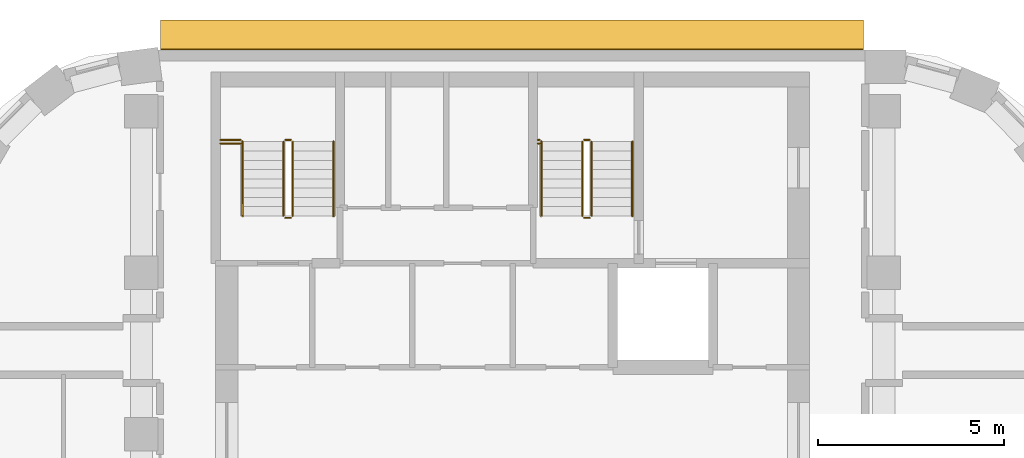
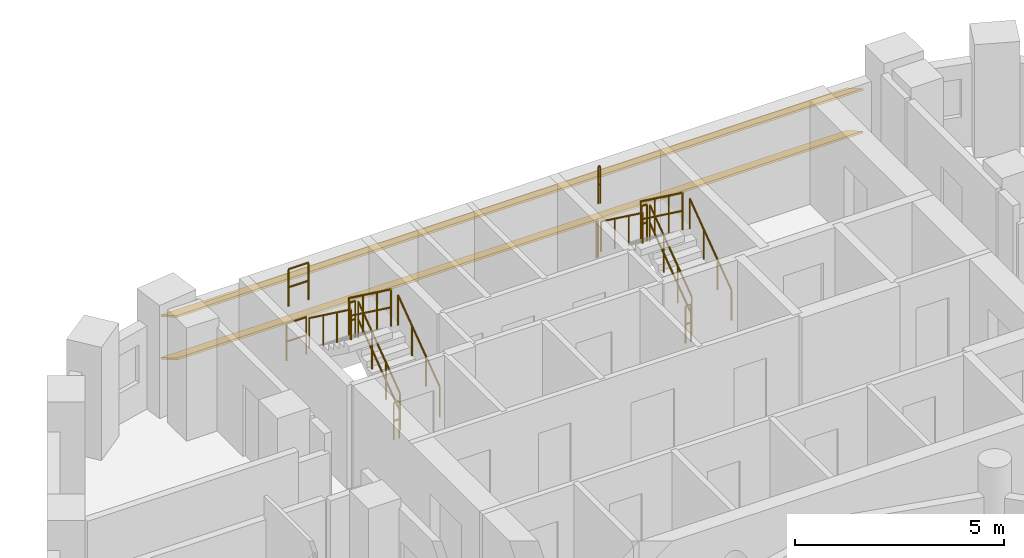
# One storey, part 13 of 13: 16 railings, 2 shading devices.
"""IFC4 building model written with IfcOpenShell, lengths in metres."""

from ifc_helpers import new_model, si_unit, direction, frame, origin, origin_2d, place, context, subcontext, project, spatial, rectangle, circle, extrude, material, material_profile, profile_set, type_object, element, save


model = new_model("IFC4")

# Units and contexts
model_context = context("Model", 3, precision=1e-05, world=origin(), true_north=direction((0.0, 1.0)))
body_context = subcontext(model_context, "Body", "Model", "MODEL_VIEW")
ifc_project = project(units=[si_unit("LENGTHUNIT", "METRE"), si_unit("AREAUNIT", "SQUARE_METRE"), si_unit("VOLUMEUNIT", "CUBIC_METRE"), si_unit("PLANEANGLEUNIT", "RADIAN"), si_unit("MASSUNIT", "GRAM", prefix="KILO")], contexts=[model_context])

# Site, building, storey
site_placement = place(None, origin())
site = spatial("IfcSite", under=ifc_project, at=site_placement, CompositionType="ELEMENT")
building_placement = place(site_placement, origin())
building = spatial("IfcBuilding", under=site, at=building_placement, Name="Nakaniwa Court", CompositionType="ELEMENT")
storey_placement = place(building_placement, frame((0.0, 0.0, 242.699951171875)))
storey = spatial("IfcBuildingStorey", under=building, at=storey_placement, Name="L63", CompositionType="ELEMENT", Elevation=242.699951171875)

# Shading devices
ifc_material_1 = material(Name="Perforated charcoal ceramic louvre blade")
ifc_material_profile = material_profile(ifc_material_1, rectangle(XDim=0.89990234375, YDim=0.050048828125, at=origin_2d()), Name="Perforated ceramic louvre blade")
ifc_profile_set = profile_set([ifc_material_profile], Name="Perforated charcoal ceramic louvre blade")
shading_device_type = type_object("IfcShadingDeviceType", Name="Perforated ceramic louvre blade", PredefinedType="JALOUSIE", material=ifc_profile_set)
for number, where, z_axis, x_axis, name in (
    (1, (89.44921875, 103.05224609375, 0.550048828125), (-1.0, 0.0, 0.0), (0.0, -0.866025403784, 0.5), "L63 perforated ceramic louvre blade w08 1"),
    (2, (89.44921875, 103.05224609375, 1.79345703125), (-1.0, 0.0, 0.0), (0.0, -0.866025403784, 0.5), "L63 perforated ceramic louvre blade w08 2"),
):
    element("IfcShadingDevice", number, at=place(storey_placement, frame(where, z_axis=z_axis, x_axis=x_axis)), inside=storey, type_object=shading_device_type, Name=name, PredefinedType="JALOUSIE", context=body_context, shape_type="SweptSolid", body=[
        extrude(rectangle(XDim=0.89990234375, YDim=0.050048828125, at=origin_2d()), origin(), (0.0, 0.0, 1.0), 18.933349609375),
    ])

# Railings
ifc_material_2 = material(Name="Black powder coated steel guard", Category="steel")
railing_type_1 = type_object("IfcRailingType", Name="Stair guard 1100", PredefinedType="GUARDRAIL", material=ifc_material_2)
railing_1_placement = place(storey_placement, frame((74.074951171875, 98.175048828125, 0.183349609375)))
element("IfcRailing", 3, at=railing_1_placement, inside=storey, type_object=railing_type_1, Name="L63 ST1 stair guard 1", PredefinedType="GUARDRAIL", context=body_context, shape_type="SweptSolid", body=[
    extrude(circle(Radius=0.02392578125, at=origin_2d()), frame((0.0, 0.0, 1.076171875), z_axis=(0.0, 0.806379959628, 0.591397802423), x_axis=(-1.0, 0.0, 0.0)), (0.0, 0.0, 1.0), 2.480224609375),
    extrude(circle(Radius=0.02392578125, at=origin_2d()), frame((0.0, 0.0, 0.550048828125), z_axis=(0.0, 0.806379959628, 0.591397802423), x_axis=(-1.0, 0.0, 0.0)), (0.0, 0.0, 1.0), 2.480224609375),
    extrude(circle(Radius=0.02099609375, at=origin_2d()), origin(), (0.0, 0.0, 1.0), 1.052001953125),
    extrude(circle(Radius=0.02099609375, at=origin_2d()), frame((0.0, 0.666748046875, 0.489013671875)), (0.0, 0.0, 1.0), 1.052001953125),
    extrude(circle(Radius=0.02099609375, at=origin_2d()), frame((0.0, 1.333251953125, 0.977783203125)), (0.0, 0.0, 1.0), 1.052001953125),
    extrude(circle(Radius=0.02099609375, at=origin_2d()), frame((0.0, 2.0, 1.466796875)), (0.0, 0.0, 1.0), 1.052001953125),
])
railing_2_placement = place(storey_placement, frame((74.02490234375, 100.22509765625, 1.650146484375)))
element("IfcRailing", 4, at=railing_2_placement, inside=storey, type_object=railing_type_1, Name="L63 ST1 stair guard 2", PredefinedType="GUARDRAIL", context=body_context, shape_type="SweptSolid", body=[
    extrude(circle(Radius=0.02392578125, at=origin_2d()), frame((0.0, 0.0, 1.076171875), z_axis=(-1.0, 0.0, 0.0), x_axis=(0.0, -1.0, 0.0)), (0.0, 0.0, 1.0), 0.14990234375),
    extrude(circle(Radius=0.02392578125, at=origin_2d()), frame((0.0, 0.0, 0.550048828125), z_axis=(-1.0, 0.0, 0.0), x_axis=(0.0, -1.0, 0.0)), (0.0, 0.0, 1.0), 0.14990234375),
    extrude(circle(Radius=0.02099609375, at=origin_2d()), origin(), (0.0, 0.0, 1.0), 1.052001953125),
    extrude(circle(Radius=0.02099609375, at=origin_2d()), frame((-0.14990234375, 0.0, 0.0)), (0.0, 0.0, 1.0), 1.052001953125),
])
railing_3_placement = place(storey_placement, frame((73.824951171875, 100.175048828125, 1.83349609375)))
element("IfcRailing", 5, at=railing_3_placement, inside=storey, type_object=railing_type_1, Name="L63 ST1 stair guard 3", PredefinedType="GUARDRAIL", context=body_context, shape_type="SweptSolid", body=[
    extrude(circle(Radius=0.02392578125, at=origin_2d()), frame((0.0, 0.0, 1.076171875), z_axis=(0.0, -0.806426902644, 0.591333789573), x_axis=(1.0, 0.0, 0.0)), (0.0, 0.0, 1.0), 2.47998046875),
    extrude(circle(Radius=0.02392578125, at=origin_2d()), frame((0.0, 0.0, 0.550048828125), z_axis=(0.0, -0.806426902644, 0.591333789573), x_axis=(1.0, 0.0, 0.0)), (0.0, 0.0, 1.0), 2.47998046875),
    extrude(circle(Radius=0.02099609375, at=origin_2d()), origin(), (0.0, 0.0, 1.0), 1.052001953125),
    extrude(circle(Radius=0.02099609375, at=origin_2d()), frame((0.0, -0.666748046875, 0.48876953125)), (0.0, 0.0, 1.0), 1.052001953125),
    extrude(circle(Radius=0.02099609375, at=origin_2d()), frame((0.0, -1.333251953125, 0.977783203125)), (0.0, 0.0, 1.0), 1.052001953125),
    extrude(circle(Radius=0.02099609375, at=origin_2d()), frame((0.0, -2.0, 1.466552734375)), (0.0, 0.0, 1.0), 1.052001953125),
])
railing_4_placement = place(storey_placement, frame((74.02490234375, 98.125, 0.0)))
element("IfcRailing", 6, at=railing_4_placement, inside=storey, type_object=railing_type_1, Name="L63 ST1 stair guard 4", PredefinedType="GUARDRAIL", context=body_context, shape_type="SweptSolid", body=[
    extrude(circle(Radius=0.02392578125, at=origin_2d()), frame((0.0, 0.0, 1.076171875), z_axis=(-1.0, 0.0, 0.0), x_axis=(0.0, -1.0, 0.0)), (0.0, 0.0, 1.0), 0.14990234375),
    extrude(circle(Radius=0.02392578125, at=origin_2d()), frame((0.0, 0.0, 0.550048828125), z_axis=(-1.0, 0.0, 0.0), x_axis=(0.0, -1.0, 0.0)), (0.0, 0.0, 1.0), 0.14990234375),
    extrude(circle(Radius=0.02099609375, at=origin_2d()), origin(), (0.0, 0.0, 1.0), 1.052001953125),
    extrude(circle(Radius=0.02099609375, at=origin_2d()), frame((-0.14990234375, 0.0, 0.0)), (0.0, 0.0, 1.0), 1.052001953125),
])
for number, where, name in (
    (7, (72.125, 100.22509765625, 1.650146484375), "L63 ST1 landing side guard 1W"),
    (8, (72.125, 100.125, 3.300048828125), "L63 ST1 floor edge guard 1W"),
):
    element("IfcRailing", number, at=place(storey_placement, frame(where)), inside=storey, type_object=railing_type_1, Name=name, PredefinedType="GUARDRAIL", context=body_context, shape_type="SweptSolid", body=[
        extrude(circle(Radius=0.02392578125, at=origin_2d()), frame((0.0, 0.0, 1.076171875), z_axis=(1.0, 0.0, 0.0), x_axis=(0.0, 1.0, 0.0)), (0.0, 0.0, 1.0), 0.550048828125),
        extrude(circle(Radius=0.02392578125, at=origin_2d()), frame((0.0, 0.0, 0.550048828125), z_axis=(1.0, 0.0, 0.0), x_axis=(0.0, 1.0, 0.0)), (0.0, 0.0, 1.0), 0.550048828125),
        extrude(circle(Radius=0.02099609375, at=origin_2d()), origin(), (0.0, 0.0, 1.0), 1.052001953125),
        extrude(circle(Radius=0.02099609375, at=origin_2d()), frame((0.550048828125, 0.0, 0.0)), (0.0, 0.0, 1.0), 1.052001953125),
    ])
railing_5_placement = place(storey_placement, frame((82.125, 98.175048828125, 0.183349609375)))
element("IfcRailing", 9, at=railing_5_placement, inside=storey, type_object=railing_type_1, Name="L63 ST2 stair guard 1", PredefinedType="GUARDRAIL", context=body_context, shape_type="SweptSolid", body=[
    extrude(circle(Radius=0.02392578125, at=origin_2d()), frame((0.0, 0.0, 1.076171875), z_axis=(0.0, 0.806379959628, 0.591397802423), x_axis=(-1.0, 0.0, 0.0)), (0.0, 0.0, 1.0), 2.480224609375),
    extrude(circle(Radius=0.02392578125, at=origin_2d()), frame((0.0, 0.0, 0.550048828125), z_axis=(0.0, 0.806379959628, 0.591397802423), x_axis=(-1.0, 0.0, 0.0)), (0.0, 0.0, 1.0), 2.480224609375),
    extrude(circle(Radius=0.02099609375, at=origin_2d()), origin(), (0.0, 0.0, 1.0), 1.052001953125),
    extrude(circle(Radius=0.02099609375, at=origin_2d()), frame((0.0, 0.666748046875, 0.489013671875)), (0.0, 0.0, 1.0), 1.052001953125),
    extrude(circle(Radius=0.02099609375, at=origin_2d()), frame((0.0, 1.333251953125, 0.977783203125)), (0.0, 0.0, 1.0), 1.052001953125),
    extrude(circle(Radius=0.02099609375, at=origin_2d()), frame((0.0, 2.0, 1.466796875)), (0.0, 0.0, 1.0), 1.052001953125),
])
railing_6_placement = place(storey_placement, frame((82.074951171875, 100.22509765625, 1.650146484375)))
element("IfcRailing", 10, at=railing_6_placement, inside=storey, type_object=railing_type_1, Name="L63 ST2 stair guard 2", PredefinedType="GUARDRAIL", context=body_context, shape_type="SweptSolid", body=[
    extrude(circle(Radius=0.02392578125, at=origin_2d()), frame((0.0, 0.0, 1.076171875), z_axis=(-1.0, 0.0, 0.0), x_axis=(0.0, -1.0, 0.0)), (0.0, 0.0, 1.0), 0.14990234375),
    extrude(circle(Radius=0.02392578125, at=origin_2d()), frame((0.0, 0.0, 0.550048828125), z_axis=(-1.0, 0.0, 0.0), x_axis=(0.0, -1.0, 0.0)), (0.0, 0.0, 1.0), 0.14990234375),
    extrude(circle(Radius=0.02099609375, at=origin_2d()), origin(), (0.0, 0.0, 1.0), 1.052001953125),
    extrude(circle(Radius=0.02099609375, at=origin_2d()), frame((-0.14990234375, 0.0, 0.0)), (0.0, 0.0, 1.0), 1.052001953125),
])
railing_7_placement = place(storey_placement, frame((81.875, 100.175048828125, 1.83349609375)))
element("IfcRailing", 11, at=railing_7_placement, inside=storey, type_object=railing_type_1, Name="L63 ST2 stair guard 3", PredefinedType="GUARDRAIL", context=body_context, shape_type="SweptSolid", body=[
    extrude(circle(Radius=0.02392578125, at=origin_2d()), frame((0.0, 0.0, 1.076171875), z_axis=(0.0, -0.806426902644, 0.591333789573), x_axis=(1.0, 0.0, 0.0)), (0.0, 0.0, 1.0), 2.47998046875),
    extrude(circle(Radius=0.02392578125, at=origin_2d()), frame((0.0, 0.0, 0.550048828125), z_axis=(0.0, -0.806426902644, 0.591333789573), x_axis=(1.0, 0.0, 0.0)), (0.0, 0.0, 1.0), 2.47998046875),
    extrude(circle(Radius=0.02099609375, at=origin_2d()), origin(), (0.0, 0.0, 1.0), 1.052001953125),
    extrude(circle(Radius=0.02099609375, at=origin_2d()), frame((0.0, -0.666748046875, 0.48876953125)), (0.0, 0.0, 1.0), 1.052001953125),
    extrude(circle(Radius=0.02099609375, at=origin_2d()), frame((0.0, -1.333251953125, 0.977783203125)), (0.0, 0.0, 1.0), 1.052001953125),
    extrude(circle(Radius=0.02099609375, at=origin_2d()), frame((0.0, -2.0, 1.466552734375)), (0.0, 0.0, 1.0), 1.052001953125),
])
railing_8_placement = place(storey_placement, frame((82.074951171875, 98.125, 0.0)))
element("IfcRailing", 12, at=railing_8_placement, inside=storey, type_object=railing_type_1, Name="L63 ST2 stair guard 4", PredefinedType="GUARDRAIL", context=body_context, shape_type="SweptSolid", body=[
    extrude(circle(Radius=0.02392578125, at=origin_2d()), frame((0.0, 0.0, 1.076171875), z_axis=(-1.0, 0.0, 0.0), x_axis=(0.0, -1.0, 0.0)), (0.0, 0.0, 1.0), 0.14990234375),
    extrude(circle(Radius=0.02392578125, at=origin_2d()), frame((0.0, 0.0, 0.550048828125), z_axis=(-1.0, 0.0, 0.0), x_axis=(0.0, -1.0, 0.0)), (0.0, 0.0, 1.0), 0.14990234375),
    extrude(circle(Radius=0.02099609375, at=origin_2d()), origin(), (0.0, 0.0, 1.0), 1.052001953125),
    extrude(circle(Radius=0.02099609375, at=origin_2d()), frame((-0.14990234375, 0.0, 0.0)), (0.0, 0.0, 1.0), 1.052001953125),
])
for number, where, name in (
    (13, (80.675048828125, 100.22509765625, 1.650146484375), "L63 ST2 landing side guard 1W"),
    (14, (80.675048828125, 100.125, 3.300048828125), "L63 ST2 floor edge guard 1W"),
):
    element("IfcRailing", number, at=place(storey_placement, frame(where)), inside=storey, type_object=railing_type_1, Name=name, PredefinedType="GUARDRAIL", context=body_context, shape_type="SweptSolid", body=[
        extrude(circle(Radius=0.02392578125, at=origin_2d()), frame((0.0, 0.0, 1.076171875), z_axis=(1.0, 0.0, 0.0), x_axis=(0.0, 1.0, 0.0)), (0.0, 0.0, 1.0), 0.050048828125),
        extrude(circle(Radius=0.02392578125, at=origin_2d()), frame((0.0, 0.0, 0.550048828125), z_axis=(1.0, 0.0, 0.0), x_axis=(0.0, 1.0, 0.0)), (0.0, 0.0, 1.0), 0.050048828125),
        extrude(circle(Radius=0.02099609375, at=origin_2d()), origin(), (0.0, 0.0, 1.0), 1.052001953125),
        extrude(circle(Radius=0.02099609375, at=origin_2d()), frame((0.050048828125, 0.0, 0.0)), (0.0, 0.0, 1.0), 1.052001953125),
    ])
ifc_material_3 = material(Name="Black powder coated steel handrail", Category="steel")
railing_type_2 = type_object("IfcRailingType", Name="Stair handrail 900", PredefinedType="HANDRAIL", material=ifc_material_3)
railing_9_placement = place(storey_placement, frame((75.175048828125, 98.175048828125, 0.183349609375)))
element("IfcRailing", 15, at=railing_9_placement, inside=storey, type_object=railing_type_2, Name="L63 ST1 stair handrail 1", PredefinedType="HANDRAIL", context=body_context, shape_type="SweptSolid", body=[
    extrude(circle(Radius=0.02392578125, at=origin_2d()), frame((0.0, 0.0, 0.8759765625), z_axis=(0.0, 0.806379959628, 0.591397802423), x_axis=(-1.0, 0.0, 0.0)), (0.0, 0.0, 1.0), 2.480224609375),
    extrude(circle(Radius=0.02099609375, at=origin_2d()), origin(), (0.0, 0.0, 1.0), 0.851806640625),
    extrude(circle(Radius=0.02099609375, at=origin_2d()), frame((0.0, 0.666748046875, 0.489013671875)), (0.0, 0.0, 1.0), 0.851806640625),
    extrude(circle(Radius=0.02099609375, at=origin_2d()), frame((0.0, 1.333251953125, 0.977783203125)), (0.0, 0.0, 1.0), 0.851806640625),
    extrude(circle(Radius=0.02099609375, at=origin_2d()), frame((0.0, 2.0, 1.466796875)), (0.0, 0.0, 1.0), 0.851806640625),
])
railing_10_placement = place(storey_placement, frame((72.72509765625, 100.175048828125, 1.83349609375)))
element("IfcRailing", 16, at=railing_10_placement, inside=storey, type_object=railing_type_2, Name="L63 ST1 stair handrail 2", PredefinedType="HANDRAIL", context=body_context, shape_type="SweptSolid", body=[
    extrude(circle(Radius=0.02392578125, at=origin_2d()), frame((0.0, 0.0, 0.8759765625), z_axis=(0.0, -0.806426902644, 0.591333789573), x_axis=(1.0, 0.0, 0.0)), (0.0, 0.0, 1.0), 2.47998046875),
    extrude(circle(Radius=0.02099609375, at=origin_2d()), origin(), (0.0, 0.0, 1.0), 0.851806640625),
    extrude(circle(Radius=0.02099609375, at=origin_2d()), frame((0.0, -0.666748046875, 0.48876953125)), (0.0, 0.0, 1.0), 0.851806640625),
    extrude(circle(Radius=0.02099609375, at=origin_2d()), frame((0.0, -1.333251953125, 0.977783203125)), (0.0, 0.0, 1.0), 0.851806640625),
    extrude(circle(Radius=0.02099609375, at=origin_2d()), frame((0.0, -2.0, 1.466552734375)), (0.0, 0.0, 1.0), 0.851806640625),
])
railing_11_placement = place(storey_placement, frame((83.22509765625, 98.175048828125, 0.183349609375)))
element("IfcRailing", 17, at=railing_11_placement, inside=storey, type_object=railing_type_2, Name="L63 ST2 stair handrail 1", PredefinedType="HANDRAIL", context=body_context, shape_type="SweptSolid", body=[
    extrude(circle(Radius=0.02392578125, at=origin_2d()), frame((0.0, 0.0, 0.8759765625), z_axis=(0.0, 0.806379959628, 0.591397802423), x_axis=(-1.0, 0.0, 0.0)), (0.0, 0.0, 1.0), 2.480224609375),
    extrude(circle(Radius=0.02099609375, at=origin_2d()), origin(), (0.0, 0.0, 1.0), 0.851806640625),
    extrude(circle(Radius=0.02099609375, at=origin_2d()), frame((0.0, 0.666748046875, 0.489013671875)), (0.0, 0.0, 1.0), 0.851806640625),
    extrude(circle(Radius=0.02099609375, at=origin_2d()), frame((0.0, 1.333251953125, 0.977783203125)), (0.0, 0.0, 1.0), 0.851806640625),
    extrude(circle(Radius=0.02099609375, at=origin_2d()), frame((0.0, 2.0, 1.466796875)), (0.0, 0.0, 1.0), 0.851806640625),
])
railing_12_placement = place(storey_placement, frame((80.77490234375, 100.175048828125, 1.83349609375)))
element("IfcRailing", 18, at=railing_12_placement, inside=storey, type_object=railing_type_2, Name="L63 ST2 stair handrail 2", PredefinedType="HANDRAIL", context=body_context, shape_type="SweptSolid", body=[
    extrude(circle(Radius=0.02392578125, at=origin_2d()), frame((0.0, 0.0, 0.8759765625), z_axis=(0.0, -0.806426902644, 0.591333789573), x_axis=(1.0, 0.0, 0.0)), (0.0, 0.0, 1.0), 2.47998046875),
    extrude(circle(Radius=0.02099609375, at=origin_2d()), origin(), (0.0, 0.0, 1.0), 0.851806640625),
    extrude(circle(Radius=0.02099609375, at=origin_2d()), frame((0.0, -0.666748046875, 0.48876953125)), (0.0, 0.0, 1.0), 0.851806640625),
    extrude(circle(Radius=0.02099609375, at=origin_2d()), frame((0.0, -1.333251953125, 0.977783203125)), (0.0, 0.0, 1.0), 0.851806640625),
    extrude(circle(Radius=0.02099609375, at=origin_2d()), frame((0.0, -2.0, 1.466552734375)), (0.0, 0.0, 1.0), 0.851806640625),
])

save(model, "model.ifc")
